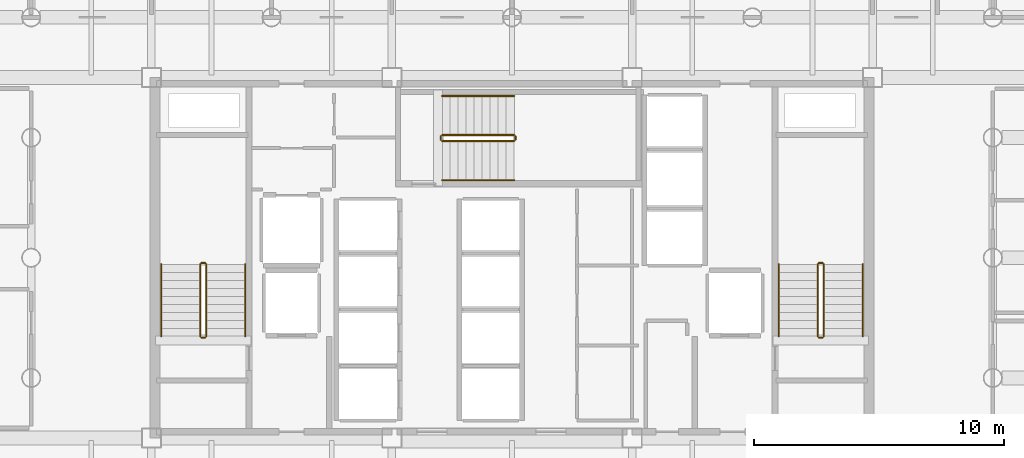
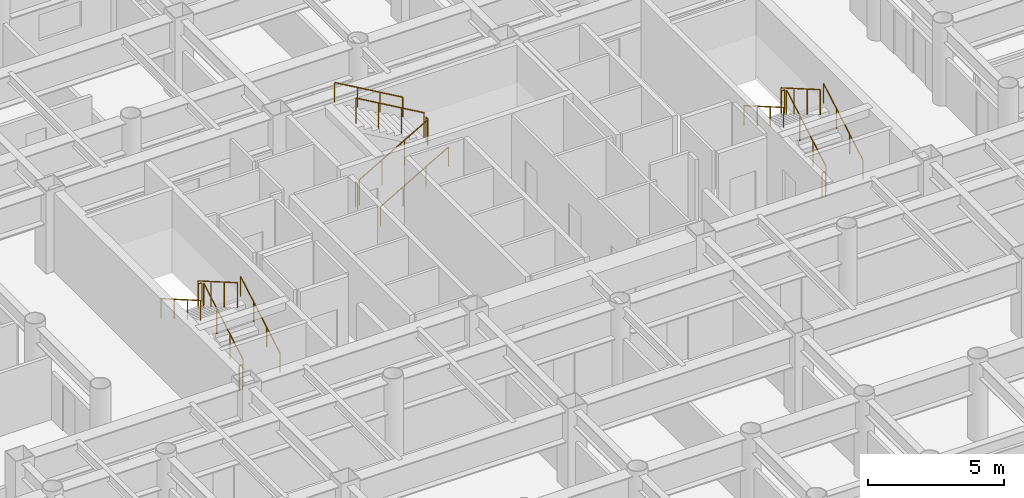
# One storey, part 26 of 26: 18 railings.
"""IFC4 building model written with IfcOpenShell, lengths in metres."""

from ifc_helpers import new_model, si_unit, direction, frame, origin, origin_2d, place, context, subcontext, project, spatial, circle, extrude, material, layer, layer_set, type_object, element, save


model = new_model("IFC4")

# Units and contexts
model_context = context("Model", 3, precision=1e-05, world=origin(), true_north=direction((0.0, 1.0)))
body_context = subcontext(model_context, "Body", "Model", "MODEL_VIEW")
ifc_project = project(units=[si_unit("LENGTHUNIT", "METRE"), si_unit("AREAUNIT", "SQUARE_METRE"), si_unit("VOLUMEUNIT", "CUBIC_METRE"), si_unit("PLANEANGLEUNIT", "RADIAN"), si_unit("MASSUNIT", "GRAM", prefix="KILO")], contexts=[model_context])

# Site, building, storey
site_placement = place(None, origin())
site = spatial("IfcSite", under=ifc_project, at=site_placement, CompositionType="ELEMENT")
building_placement = place(site_placement, origin())
building = spatial("IfcBuilding", under=site, at=building_placement, Name="Kallvorn Hotel Tower", CompositionType="ELEMENT")
storey_placement = place(building_placement, frame((0.0, 0.0, 55.89990234375)))
storey = spatial("IfcBuildingStorey", under=building, at=storey_placement, Name="L12", CompositionType="ELEMENT", Elevation=55.89990234375)

# Railings
ifc_material_1 = material(Name="Brushed stainless-steel tubular railing", Category="steel")
ifc_layer_1 = layer(ifc_material_1, 0.050048828125)
ifc_layer_set_1 = layer_set([ifc_layer_1], Name="RL_STAIR_GUARD")
railing_type_1 = type_object("IfcRailingType", Name="RL_STAIR_GUARD", PredefinedType="GUARDRAIL", material=ifc_layer_set_1)
railing_1_placement = place(storey_placement, frame((-12.2099609375, -3.139892578125, 0.18505859375)))
element("IfcRailing", 1, at=railing_1_placement, inside=storey, type_object=railing_type_1, Name="L12 ST1 stair guard 1", PredefinedType="GUARDRAIL", context=body_context, shape_type="SweptSolid", body=[
    extrude(circle(Radius=0.02392578125, at=origin_2d()), frame((0.0, 0.0, 1.1259765625), z_axis=(0.0, 0.865720918037, 0.500527014328), x_axis=(-1.0, 0.0, 0.0)), (0.0, 0.0, 1.0), 3.32666015625),
    extrude(circle(Radius=0.02099609375, at=origin_2d()), origin(), (0.0, 0.0, 1.0), 1.101806640625),
    extrude(circle(Radius=0.02099609375, at=origin_2d()), frame((0.0, 0.9599609375, 0.554931640625)), (0.0, 0.0, 1.0), 1.101806640625),
    extrude(circle(Radius=0.02099609375, at=origin_2d()), frame((0.0, 1.919921875, 1.110107421875)), (0.0, 0.0, 1.0), 1.101806640625),
    extrude(circle(Radius=0.02099609375, at=origin_2d()), frame((0.0, 2.8798828125, 1.6650390625)), (0.0, 0.0, 1.0), 1.101806640625),
])
railing_2_placement = place(storey_placement, frame((-12.260009765625, -0.2099609375, 1.85009765625)))
element("IfcRailing", 2, at=railing_2_placement, inside=storey, type_object=railing_type_1, Name="L12 ST1 stair guard 2", PredefinedType="GUARDRAIL", context=body_context, shape_type="SweptSolid", body=[
    extrude(circle(Radius=0.02392578125, at=origin_2d()), frame((0.0, 0.0, 1.1259765625), z_axis=(-1.0, 0.0, 0.0), x_axis=(0.0, -1.0, 0.0)), (0.0, 0.0, 1.0), 0.139892578125),
    extrude(circle(Radius=0.02099609375, at=origin_2d()), origin(), (0.0, 0.0, 1.0), 1.101806640625),
    extrude(circle(Radius=0.02099609375, at=origin_2d()), frame((-0.139892578125, 0.0, 0.0)), (0.0, 0.0, 1.0), 1.101806640625),
])
railing_3_placement = place(storey_placement, frame((-12.449951171875, -0.260009765625, 2.03515625)))
element("IfcRailing", 3, at=railing_3_placement, inside=storey, type_object=railing_type_1, Name="L12 ST1 stair guard 3", PredefinedType="GUARDRAIL", context=body_context, shape_type="SweptSolid", body=[
    extrude(circle(Radius=0.02392578125, at=origin_2d()), frame((0.0, 0.0, 1.1259765625), z_axis=(0.0, -0.865720918037, 0.500527014328), x_axis=(1.0, 0.0, 0.0)), (0.0, 0.0, 1.0), 3.32666015625),
    extrude(circle(Radius=0.02099609375, at=origin_2d()), origin(), (0.0, 0.0, 1.0), 1.101806640625),
    extrude(circle(Radius=0.02099609375, at=origin_2d()), frame((0.0, -0.9599609375, 0.554931640625)), (0.0, 0.0, 1.0), 1.101806640625),
    extrude(circle(Radius=0.02099609375, at=origin_2d()), frame((0.0, -1.919921875, 1.110107421875)), (0.0, 0.0, 1.0), 1.101806640625),
    extrude(circle(Radius=0.02099609375, at=origin_2d()), frame((0.0, -2.8798828125, 1.6650390625)), (0.0, 0.0, 1.0), 1.101806640625),
])
railing_4_placement = place(storey_placement, frame((-12.260009765625, -3.18994140625, 0.0)))
element("IfcRailing", 4, at=railing_4_placement, inside=storey, type_object=railing_type_1, Name="L12 ST1 stair guard 4", PredefinedType="GUARDRAIL", context=body_context, shape_type="SweptSolid", body=[
    extrude(circle(Radius=0.02392578125, at=origin_2d()), frame((0.0, 0.0, 1.1259765625), z_axis=(-1.0, 0.0, 0.0), x_axis=(0.0, -1.0, 0.0)), (0.0, 0.0, 1.0), 0.139892578125),
    extrude(circle(Radius=0.02099609375, at=origin_2d()), origin(), (0.0, 0.0, 1.0), 1.101806640625),
    extrude(circle(Radius=0.02099609375, at=origin_2d()), frame((-0.139892578125, 0.0, 0.0)), (0.0, 0.0, 1.0), 1.101806640625),
])
railing_5_placement = place(storey_placement, frame((12.449951171875, -3.139892578125, 0.18505859375)))
element("IfcRailing", 5, at=railing_5_placement, inside=storey, type_object=railing_type_1, Name="L12 ST2 stair guard 1", PredefinedType="GUARDRAIL", context=body_context, shape_type="SweptSolid", body=[
    extrude(circle(Radius=0.02392578125, at=origin_2d()), frame((0.0, 0.0, 1.1259765625), z_axis=(0.0, 0.865720918037, 0.500527014328), x_axis=(-1.0, 0.0, 0.0)), (0.0, 0.0, 1.0), 3.32666015625),
    extrude(circle(Radius=0.02099609375, at=origin_2d()), origin(), (0.0, 0.0, 1.0), 1.101806640625),
    extrude(circle(Radius=0.02099609375, at=origin_2d()), frame((0.0, 0.9599609375, 0.554931640625)), (0.0, 0.0, 1.0), 1.101806640625),
    extrude(circle(Radius=0.02099609375, at=origin_2d()), frame((0.0, 1.919921875, 1.110107421875)), (0.0, 0.0, 1.0), 1.101806640625),
    extrude(circle(Radius=0.02099609375, at=origin_2d()), frame((0.0, 2.8798828125, 1.6650390625)), (0.0, 0.0, 1.0), 1.101806640625),
])
railing_6_placement = place(storey_placement, frame((12.39990234375, -0.2099609375, 1.85009765625)))
element("IfcRailing", 6, at=railing_6_placement, inside=storey, type_object=railing_type_1, Name="L12 ST2 stair guard 2", PredefinedType="GUARDRAIL", context=body_context, shape_type="SweptSolid", body=[
    extrude(circle(Radius=0.02392578125, at=origin_2d()), frame((0.0, 0.0, 1.1259765625), z_axis=(-1.0, 0.0, 0.0), x_axis=(0.0, -1.0, 0.0)), (0.0, 0.0, 1.0), 0.139892578125),
    extrude(circle(Radius=0.02099609375, at=origin_2d()), origin(), (0.0, 0.0, 1.0), 1.101806640625),
    extrude(circle(Radius=0.02099609375, at=origin_2d()), frame((-0.139892578125, 0.0, 0.0)), (0.0, 0.0, 1.0), 1.101806640625),
])
railing_7_placement = place(storey_placement, frame((12.2099609375, -0.260009765625, 2.03515625)))
element("IfcRailing", 7, at=railing_7_placement, inside=storey, type_object=railing_type_1, Name="L12 ST2 stair guard 3", PredefinedType="GUARDRAIL", context=body_context, shape_type="SweptSolid", body=[
    extrude(circle(Radius=0.02392578125, at=origin_2d()), frame((0.0, 0.0, 1.1259765625), z_axis=(0.0, -0.865720918037, 0.500527014328), x_axis=(1.0, 0.0, 0.0)), (0.0, 0.0, 1.0), 3.32666015625),
    extrude(circle(Radius=0.02099609375, at=origin_2d()), origin(), (0.0, 0.0, 1.0), 1.101806640625),
    extrude(circle(Radius=0.02099609375, at=origin_2d()), frame((0.0, -0.9599609375, 0.554931640625)), (0.0, 0.0, 1.0), 1.101806640625),
    extrude(circle(Radius=0.02099609375, at=origin_2d()), frame((0.0, -1.919921875, 1.110107421875)), (0.0, 0.0, 1.0), 1.101806640625),
    extrude(circle(Radius=0.02099609375, at=origin_2d()), frame((0.0, -2.8798828125, 1.6650390625)), (0.0, 0.0, 1.0), 1.101806640625),
])
railing_8_placement = place(storey_placement, frame((12.39990234375, -3.18994140625, 0.0)))
element("IfcRailing", 8, at=railing_8_placement, inside=storey, type_object=railing_type_1, Name="L12 ST2 stair guard 4", PredefinedType="GUARDRAIL", context=body_context, shape_type="SweptSolid", body=[
    extrude(circle(Radius=0.02392578125, at=origin_2d()), frame((0.0, 0.0, 1.1259765625), z_axis=(-1.0, 0.0, 0.0), x_axis=(0.0, -1.0, 0.0)), (0.0, 0.0, 1.0), 0.139892578125),
    extrude(circle(Radius=0.02099609375, at=origin_2d()), origin(), (0.0, 0.0, 1.0), 1.101806640625),
    extrude(circle(Radius=0.02099609375, at=origin_2d()), frame((-0.139892578125, 0.0, 0.0)), (0.0, 0.0, 1.0), 1.101806640625),
])
railing_9_placement = place(storey_placement, frame((-2.7900390625, 4.659912109375, 0.18505859375)))
element("IfcRailing", 9, at=railing_9_placement, inside=storey, type_object=railing_type_1, Name="L12 ST3 stair guard 1", PredefinedType="GUARDRAIL", context=body_context, shape_type="SweptSolid", body=[
    extrude(circle(Radius=0.02392578125, at=origin_2d()), frame((0.0, 0.0, 1.1259765625), z_axis=(0.865739302748, 0.0, 0.50049521444), x_axis=(0.0, 1.0, 0.0)), (0.0, 0.0, 1.0), 3.326904296875),
    extrude(circle(Radius=0.02099609375, at=origin_2d()), origin(), (0.0, 0.0, 1.0), 1.101806640625),
    extrude(circle(Radius=0.02099609375, at=origin_2d()), frame((0.9599609375, 0.0, 0.554931640625)), (0.0, 0.0, 1.0), 1.101806640625),
    extrude(circle(Radius=0.02099609375, at=origin_2d()), frame((1.920166015625, 0.0, 1.110107421875)), (0.0, 0.0, 1.0), 1.101806640625),
    extrude(circle(Radius=0.02099609375, at=origin_2d()), frame((2.880126953125, 0.0, 1.6650390625)), (0.0, 0.0, 1.0), 1.101806640625),
])
railing_10_placement = place(storey_placement, frame((0.139892578125, 4.7099609375, 1.85009765625)))
element("IfcRailing", 10, at=railing_10_placement, inside=storey, type_object=railing_type_1, Name="L12 ST3 stair guard 2", PredefinedType="GUARDRAIL", context=body_context, shape_type="SweptSolid", body=[
    extrude(circle(Radius=0.02392578125, at=origin_2d()), frame((0.0, 0.0, 1.1259765625), z_axis=(0.0, 1.0, 0.0), x_axis=(-1.0, 0.0, 0.0)), (0.0, 0.0, 1.0), 0.14013671875),
    extrude(circle(Radius=0.02099609375, at=origin_2d()), origin(), (0.0, 0.0, 1.0), 1.101806640625),
    extrude(circle(Radius=0.02099609375, at=origin_2d()), frame((0.0, 0.14013671875, 0.0)), (0.0, 0.0, 1.0), 1.101806640625),
])
railing_11_placement = place(storey_placement, frame((0.090087890625, 4.89990234375, 2.03515625)))
element("IfcRailing", 11, at=railing_11_placement, inside=storey, type_object=railing_type_1, Name="L12 ST3 stair guard 3", PredefinedType="GUARDRAIL", context=body_context, shape_type="SweptSolid", body=[
    extrude(circle(Radius=0.02392578125, at=origin_2d()), frame((0.0, 0.0, 1.1259765625), z_axis=(-0.865739302748, 0.0, 0.50049521444), x_axis=(0.0, -1.0, 0.0)), (0.0, 0.0, 1.0), 3.326904296875),
    extrude(circle(Radius=0.02099609375, at=origin_2d()), origin(), (0.0, 0.0, 1.0), 1.101806640625),
    extrude(circle(Radius=0.02099609375, at=origin_2d()), frame((-0.9599609375, 0.0, 0.554931640625)), (0.0, 0.0, 1.0), 1.101806640625),
    extrude(circle(Radius=0.02099609375, at=origin_2d()), frame((-1.920166015625, 0.0, 1.110107421875)), (0.0, 0.0, 1.0), 1.101806640625),
    extrude(circle(Radius=0.02099609375, at=origin_2d()), frame((-2.880126953125, 0.0, 1.6650390625)), (0.0, 0.0, 1.0), 1.101806640625),
])
railing_12_placement = place(storey_placement, frame((-2.840087890625, 4.7099609375, 0.0)))
element("IfcRailing", 12, at=railing_12_placement, inside=storey, type_object=railing_type_1, Name="L12 ST3 stair guard 4", PredefinedType="GUARDRAIL", context=body_context, shape_type="SweptSolid", body=[
    extrude(circle(Radius=0.02392578125, at=origin_2d()), frame((0.0, 0.0, 1.1259765625), z_axis=(0.0, 1.0, 0.0), x_axis=(-1.0, 0.0, 0.0)), (0.0, 0.0, 1.0), 0.14013671875),
    extrude(circle(Radius=0.02099609375, at=origin_2d()), origin(), (0.0, 0.0, 1.0), 1.101806640625),
    extrude(circle(Radius=0.02099609375, at=origin_2d()), frame((0.0, 0.14013671875, 0.0)), (0.0, 0.0, 1.0), 1.101806640625),
])
ifc_material_2 = material(Name="Brushed stainless-steel tubular railing", Category="steel")
ifc_layer_2 = layer(ifc_material_2, 0.050048828125)
ifc_layer_set_2 = layer_set([ifc_layer_2], Name="RL_STAIR_HAND")
railing_type_2 = type_object("IfcRailingType", Name="RL_STAIR_HAND", PredefinedType="HANDRAIL", material=ifc_layer_set_2)
railing_13_placement = place(storey_placement, frame((-10.64990234375, -3.139892578125, 0.18505859375)))
element("IfcRailing", 13, at=railing_13_placement, inside=storey, type_object=railing_type_2, Name="L12 ST1 stair handrail 1", PredefinedType="HANDRAIL", context=body_context, shape_type="SweptSolid", body=[
    extrude(circle(Radius=0.02392578125, at=origin_2d()), frame((0.0, 0.0, 0.8759765625), z_axis=(0.0, 0.865720918037, 0.500527014328), x_axis=(-1.0, 0.0, 0.0)), (0.0, 0.0, 1.0), 3.32666015625),
    extrude(circle(Radius=0.02099609375, at=origin_2d()), origin(), (0.0, 0.0, 1.0), 0.851806640625),
    extrude(circle(Radius=0.02099609375, at=origin_2d()), frame((0.0, 0.9599609375, 0.554931640625)), (0.0, 0.0, 1.0), 0.851806640625),
    extrude(circle(Radius=0.02099609375, at=origin_2d()), frame((0.0, 1.919921875, 1.110107421875)), (0.0, 0.0, 1.0), 0.851806640625),
    extrude(circle(Radius=0.02099609375, at=origin_2d()), frame((0.0, 2.8798828125, 1.6650390625)), (0.0, 0.0, 1.0), 0.851806640625),
])
railing_14_placement = place(storey_placement, frame((-14.010009765625, -0.260009765625, 2.03515625)))
element("IfcRailing", 14, at=railing_14_placement, inside=storey, type_object=railing_type_2, Name="L12 ST1 stair handrail 2", PredefinedType="HANDRAIL", context=body_context, shape_type="SweptSolid", body=[
    extrude(circle(Radius=0.02392578125, at=origin_2d()), frame((0.0, 0.0, 0.8759765625), z_axis=(0.0, -0.865720918037, 0.500527014328), x_axis=(1.0, 0.0, 0.0)), (0.0, 0.0, 1.0), 3.32666015625),
    extrude(circle(Radius=0.02099609375, at=origin_2d()), origin(), (0.0, 0.0, 1.0), 0.851806640625),
    extrude(circle(Radius=0.02099609375, at=origin_2d()), frame((0.0, -0.9599609375, 0.554931640625)), (0.0, 0.0, 1.0), 0.851806640625),
    extrude(circle(Radius=0.02099609375, at=origin_2d()), frame((0.0, -1.919921875, 1.110107421875)), (0.0, 0.0, 1.0), 0.851806640625),
    extrude(circle(Radius=0.02099609375, at=origin_2d()), frame((0.0, -2.8798828125, 1.6650390625)), (0.0, 0.0, 1.0), 0.851806640625),
])
railing_15_placement = place(storey_placement, frame((14.010009765625, -3.139892578125, 0.18505859375)))
element("IfcRailing", 15, at=railing_15_placement, inside=storey, type_object=railing_type_2, Name="L12 ST2 stair handrail 1", PredefinedType="HANDRAIL", context=body_context, shape_type="SweptSolid", body=[
    extrude(circle(Radius=0.02392578125, at=origin_2d()), frame((0.0, 0.0, 0.8759765625), z_axis=(0.0, 0.865720918037, 0.500527014328), x_axis=(-1.0, 0.0, 0.0)), (0.0, 0.0, 1.0), 3.32666015625),
    extrude(circle(Radius=0.02099609375, at=origin_2d()), origin(), (0.0, 0.0, 1.0), 0.851806640625),
    extrude(circle(Radius=0.02099609375, at=origin_2d()), frame((0.0, 0.9599609375, 0.554931640625)), (0.0, 0.0, 1.0), 0.851806640625),
    extrude(circle(Radius=0.02099609375, at=origin_2d()), frame((0.0, 1.919921875, 1.110107421875)), (0.0, 0.0, 1.0), 0.851806640625),
    extrude(circle(Radius=0.02099609375, at=origin_2d()), frame((0.0, 2.8798828125, 1.6650390625)), (0.0, 0.0, 1.0), 0.851806640625),
])
railing_16_placement = place(storey_placement, frame((10.64990234375, -0.260009765625, 2.03515625)))
element("IfcRailing", 16, at=railing_16_placement, inside=storey, type_object=railing_type_2, Name="L12 ST2 stair handrail 2", PredefinedType="HANDRAIL", context=body_context, shape_type="SweptSolid", body=[
    extrude(circle(Radius=0.02392578125, at=origin_2d()), frame((0.0, 0.0, 0.8759765625), z_axis=(0.0, -0.865720918037, 0.500527014328), x_axis=(1.0, 0.0, 0.0)), (0.0, 0.0, 1.0), 3.32666015625),
    extrude(circle(Radius=0.02099609375, at=origin_2d()), origin(), (0.0, 0.0, 1.0), 0.851806640625),
    extrude(circle(Radius=0.02099609375, at=origin_2d()), frame((0.0, -0.9599609375, 0.554931640625)), (0.0, 0.0, 1.0), 0.851806640625),
    extrude(circle(Radius=0.02099609375, at=origin_2d()), frame((0.0, -1.919921875, 1.110107421875)), (0.0, 0.0, 1.0), 0.851806640625),
    extrude(circle(Radius=0.02099609375, at=origin_2d()), frame((0.0, -2.8798828125, 1.6650390625)), (0.0, 0.0, 1.0), 0.851806640625),
])
railing_17_placement = place(storey_placement, frame((-2.7900390625, 3.10009765625, 0.18505859375)))
element("IfcRailing", 17, at=railing_17_placement, inside=storey, type_object=railing_type_2, Name="L12 ST3 stair handrail 1", PredefinedType="HANDRAIL", context=body_context, shape_type="SweptSolid", body=[
    extrude(circle(Radius=0.02392578125, at=origin_2d()), frame((0.0, 0.0, 0.8759765625), z_axis=(0.865739302748, 0.0, 0.50049521444), x_axis=(0.0, 1.0, 0.0)), (0.0, 0.0, 1.0), 3.326904296875),
    extrude(circle(Radius=0.02099609375, at=origin_2d()), origin(), (0.0, 0.0, 1.0), 0.851806640625),
    extrude(circle(Radius=0.02099609375, at=origin_2d()), frame((0.9599609375, 0.0, 0.554931640625)), (0.0, 0.0, 1.0), 0.851806640625),
    extrude(circle(Radius=0.02099609375, at=origin_2d()), frame((1.920166015625, 0.0, 1.110107421875)), (0.0, 0.0, 1.0), 0.851806640625),
    extrude(circle(Radius=0.02099609375, at=origin_2d()), frame((2.880126953125, 0.0, 1.6650390625)), (0.0, 0.0, 1.0), 0.851806640625),
])
railing_18_placement = place(storey_placement, frame((0.090087890625, 6.4599609375, 2.03515625)))
element("IfcRailing", 18, at=railing_18_placement, inside=storey, type_object=railing_type_2, Name="L12 ST3 stair handrail 2", PredefinedType="HANDRAIL", context=body_context, shape_type="SweptSolid", body=[
    extrude(circle(Radius=0.02392578125, at=origin_2d()), frame((0.0, 0.0, 0.8759765625), z_axis=(-0.865739302748, 0.0, 0.50049521444), x_axis=(0.0, -1.0, 0.0)), (0.0, 0.0, 1.0), 3.326904296875),
    extrude(circle(Radius=0.02099609375, at=origin_2d()), origin(), (0.0, 0.0, 1.0), 0.851806640625),
    extrude(circle(Radius=0.02099609375, at=origin_2d()), frame((-0.9599609375, 0.0, 0.554931640625)), (0.0, 0.0, 1.0), 0.851806640625),
    extrude(circle(Radius=0.02099609375, at=origin_2d()), frame((-1.920166015625, 0.0, 1.110107421875)), (0.0, 0.0, 1.0), 0.851806640625),
    extrude(circle(Radius=0.02099609375, at=origin_2d()), frame((-2.880126953125, 0.0, 1.6650390625)), (0.0, 0.0, 1.0), 0.851806640625),
])

save(model, "model.ifc")
